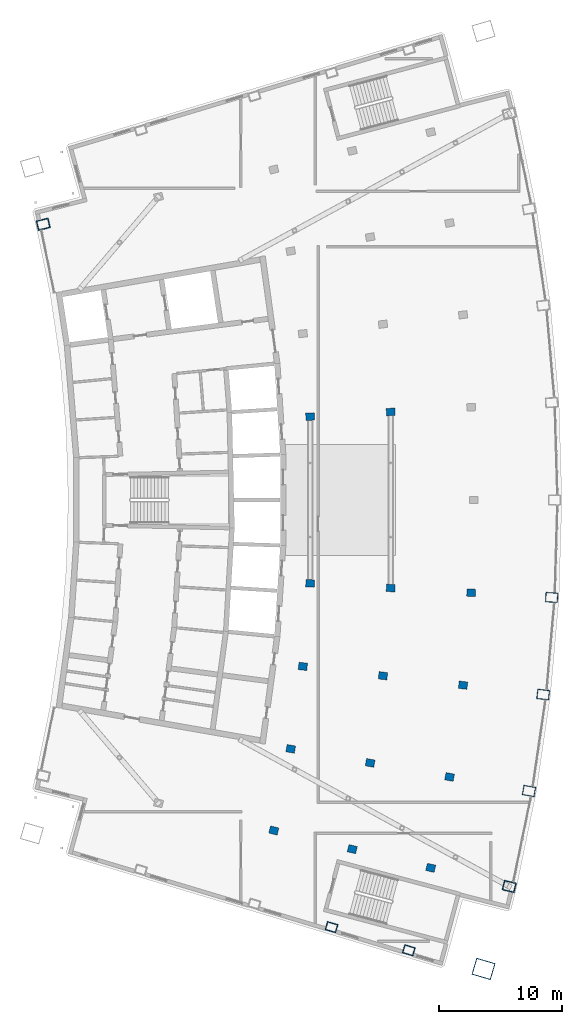
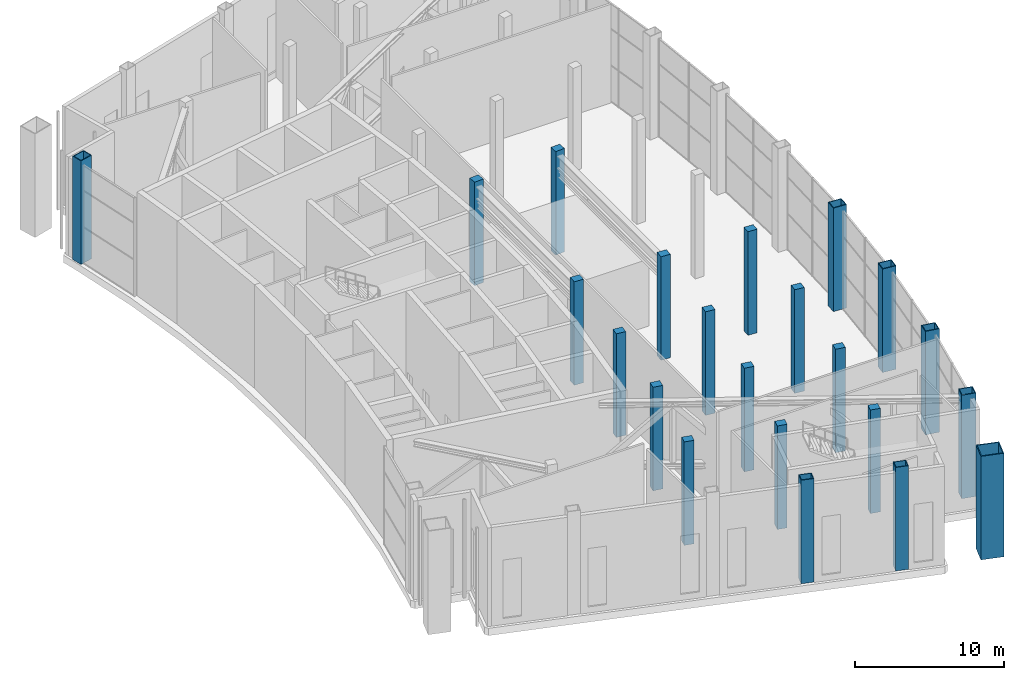
# One storey, part 2 of 25: 22 columns.
"""IFC4 building model written with IfcOpenShell, lengths in metres."""

from ifc_helpers import new_model, si_unit, direction, frame, origin, origin_2d, place, context, subcontext, project, spatial, rectangle, hollow_rectangle, extrude, material, material_profile, profile_set, type_object, element, save


model = new_model("IFC4")

# Units and contexts
model_context = context("Model", 3, precision=1e-05, world=origin(), true_north=direction((0.0, 1.0)))
body_context = subcontext(model_context, "Body", "Model", "MODEL_VIEW")
ifc_project = project(units=[si_unit("LENGTHUNIT", "METRE"), si_unit("AREAUNIT", "SQUARE_METRE"), si_unit("VOLUMEUNIT", "CUBIC_METRE"), si_unit("PLANEANGLEUNIT", "RADIAN"), si_unit("MASSUNIT", "GRAM", prefix="KILO")], contexts=[model_context])

# Site, building, storey
site_placement = place(None, origin())
site = spatial("IfcSite", under=ifc_project, at=site_placement, CompositionType="ELEMENT")
building_placement = place(site_placement, origin())
building = spatial("IfcBuilding", under=site, at=building_placement, Name="Alderwake Tower", CompositionType="ELEMENT")
storey_placement = place(building_placement, frame((0.0, 0.0, 296.0)))
storey = spatial("IfcBuildingStorey", under=building, at=storey_placement, Name="L73", CompositionType="ELEMENT", Elevation=296.0)

# Columns
ifc_material_1 = material(Name="Steel ASTM A572 Grade 50 concrete filled C70/85", Category="concrete")
ifc_material_profile_1 = material_profile(ifc_material_1, hollow_rectangle(XDim=0.699951171875, YDim=0.89990234375, WallThickness=0.050048828125, at=origin_2d()), Name="BOX 900X700X50")
ifc_profile_set_1 = profile_set([ifc_material_profile_1], Name="Steel ASTM A572 Grade 50 concrete filled C70/85")
column_type_1 = type_object("IfcColumnType", Name="End column Z5", PredefinedType="COLUMN", material=ifc_profile_set_1)
for number, where, z_axis, x_axis, name in (
    (1, (37.337890625, 26.398193359375, 0.0), (0.0, 0.0, 1.0), (0.282847061859, 0.959165022088, 0.0), "Column R02-C3"),
    (2, (43.59521484375, 24.51953125, 0.0), (0.0, 0.0, 1.0), (0.283086443451, 0.959094398656, 0.0), "Column R02-C4"),
):
    element("IfcColumn", number, at=place(storey_placement, frame(where, z_axis=z_axis, x_axis=x_axis)), inside=storey, type_object=column_type_1, Name=name, PredefinedType="COLUMN", context=body_context, shape_type="SweptSolid", body=[
        extrude(hollow_rectangle(XDim=0.699951171875, YDim=0.89990234375, WallThickness=0.050048828125, at=origin_2d()), origin(), (0.0, 0.0, 1.0), 8.5),
    ])
ifc_material_2 = material(Name="Concrete C70/85", Category="concrete")
ifc_material_profile_2 = material_profile(ifc_material_2, rectangle(XDim=0.60009765625, YDim=0.699951171875, at=origin_2d()), Name="RC 700X600")
ifc_profile_set_2 = profile_set([ifc_material_profile_2], Name="Concrete C70/85")
column_type_2 = type_object("IfcColumnType", Name="Interior column Z5", PredefinedType="COLUMN", material=ifc_profile_set_2)
for number, where, z_axis, x_axis, name in (
    (3, (32.661865234375, 34.224609375, 0.0), (0.0, 0.0, 1.0), (0.231221547198, 0.972901123502, 0.0), "Column R03-C2"),
    (4, (39.018310546875, 32.7138671875, 0.0), (0.0, 0.0, 1.0), (0.231221547198, 0.972901123502, 0.0), "Column R03-C3"),
    (5, (45.37451171875, 31.203125, 0.0), (0.0, 0.0, 1.0), (0.231221547198, 0.972901123502, 0.0), "Column R03-C4"),
    (6, (34.03125, 40.83837890625, 0.0), (0.0, 0.0, 1.0), (0.174108800747, 0.984726421654, 0.0), "Column R04-C2"),
    (7, (40.46484375, 39.70068359375, 0.0), (0.0, 0.0, 1.0), (0.174108800747, 0.984726421654, 0.0), "Column R04-C3"),
    (8, (46.8984375, 38.563232421875, 0.0), (0.0, 0.0, 1.0), (0.174107082075, 0.984726725529, 0.0), "Column R04-C4"),
    (9, (35.0126953125, 47.5205078125, 0.0), (0.0, 0.0, 1.0), (0.116402054316, 0.993202175668, 0.0), "Column R05-C2"),
    (10, (41.501708984375, 46.760009765625, 0.0), (0.0, 0.0, 1.0), (0.116402054316, 0.993202175668, 0.0), "Column R05-C3"),
    (11, (47.99072265625, 45.99951171875, 0.0), (0.0, 0.0, 1.0), (0.116402054316, 0.993202175668, 0.0), "Column R05-C4"),
    (12, (35.60302734375, 54.248779296875, 0.0), (0.0, 0.0, 1.0), (0.058301061284, 0.998299046505, 0.0), "Column R06-C2"),
    (13, (42.125244140625, 53.867919921875, 0.0), (0.0, 0.0, 1.0), (0.058301061284, 0.998299046505, 0.0), "Column R06-C3"),
    (14, (48.6474609375, 53.487060546875, 0.0), (0.0, 0.0, 1.0), (0.058301061284, 0.998299046505, 0.0), "Column R06-C4"),
    (15, (35.60302734375, 67.751220703125, 0.0), (0.0, 0.0, 1.0), (-0.058301061284, 0.998299046505, 0.0), "Column R08-C2"),
    (16, (42.125244140625, 68.132080078125, 0.0), (0.0, 0.0, 1.0), (-0.058301061284, 0.998299046505, 0.0), "Column R08-C3"),
):
    element("IfcColumn", number, at=place(storey_placement, frame(where, z_axis=z_axis, x_axis=x_axis)), inside=storey, type_object=column_type_2, Name=name, PredefinedType="COLUMN", context=body_context, shape_type="SweptSolid", body=[
        extrude(rectangle(XDim=0.60009765625, YDim=0.699951171875, at=origin_2d()), origin(), (0.0, 0.0, 1.0), 8.5),
    ])
ifc_material_3 = material(Name="Steel ASTM A572 Grade 50 concrete filled C70/85", Category="concrete")
ifc_material_profile_3 = material_profile(ifc_material_3, hollow_rectangle(XDim=1.39990234375, YDim=1.60009765625, WallThickness=0.070068359375, at=origin_2d()), Name="BOX 1600X1400X70")
ifc_profile_set_3 = profile_set([ifc_material_profile_3], Name="Steel ASTM A572 Grade 50 concrete filled C70/85")
column_type_3 = type_object("IfcColumnType", Name="Mega column Z5", PredefinedType="COLUMN", material=ifc_profile_set_3)
column_placement = place(storey_placement, frame((49.6494140625, 23.01318359375, 0.0), z_axis=(0.0, 0.0, 1.0), x_axis=(0.281175922972, 0.959656240714, 0.0)))
element("IfcColumn", 17, at=column_placement, inside=storey, type_object=column_type_3, Name="Column R02-C5", PredefinedType="COLUMN", context=body_context, shape_type="SweptSolid", body=[
    extrude(hollow_rectangle(XDim=1.39990234375, YDim=1.60009765625, WallThickness=0.070068359375, at=origin_2d()), origin(), (0.0, 0.0, 1.0), 8.5),
])
ifc_material_4 = material(Name="Steel ASTM A572 Grade 50 concrete filled C70/85", Category="concrete")
ifc_material_profile_4 = material_profile(ifc_material_4, hollow_rectangle(XDim=0.800048828125, YDim=1.0, WallThickness=0.054931640625, at=origin_2d()), Name="BOX 1000X800X55")
ifc_profile_set_4 = profile_set([ifc_material_profile_4], Name="Steel ASTM A572 Grade 50 concrete filled C70/85")
column_type_4 = type_object("IfcColumnType", Name="Perimeter column Z5", PredefinedType="COLUMN", material=ifc_profile_set_4)
for number, where, z_axis, x_axis, name in (
    (18, (51.730712890625, 29.692626953125, 0.0), (0.0, 0.0, 1.0), (0.231221547198, 0.972901123502, 0.0), "Column R03-C5"),
    (19, (53.33203125, 37.42578125, 0.0), (0.0, 0.0, 1.0), (0.174107082075, 0.984726725529, 0.0), "Column R04-C5"),
    (20, (54.4794921875, 45.239013671875, 0.0), (0.0, 0.0, 1.0), (0.116402054316, 0.993202175668, 0.0), "Column R05-C5"),
    (21, (55.169677734375, 53.106201171875, 0.0), (0.0, 0.0, 1.0), (0.058301061284, 0.998299046505, 0.0), "Column R06-C5"),
    (22, (13.982177734375, 83.3359375, 0.0), (0.0, 0.0, 1.0), (-0.231221547198, 0.972901123502, 0.0), "Column R11-C0"),
):
    element("IfcColumn", number, at=place(storey_placement, frame(where, z_axis=z_axis, x_axis=x_axis)), inside=storey, type_object=column_type_4, Name=name, PredefinedType="COLUMN", context=body_context, shape_type="SweptSolid", body=[
        extrude(hollow_rectangle(XDim=0.800048828125, YDim=1.0, WallThickness=0.054931640625, at=origin_2d()), origin(), (0.0, 0.0, 1.0), 8.5),
    ])

save(model, "model.ifc")
